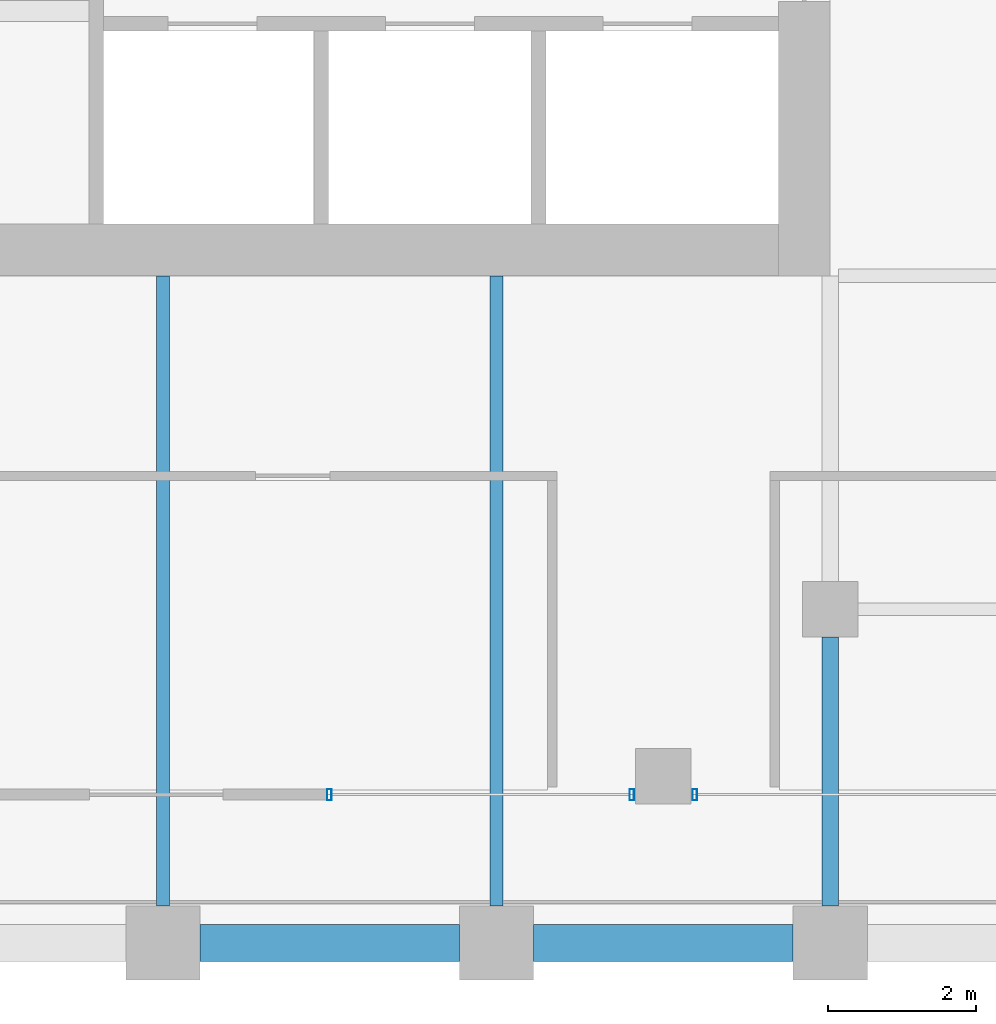
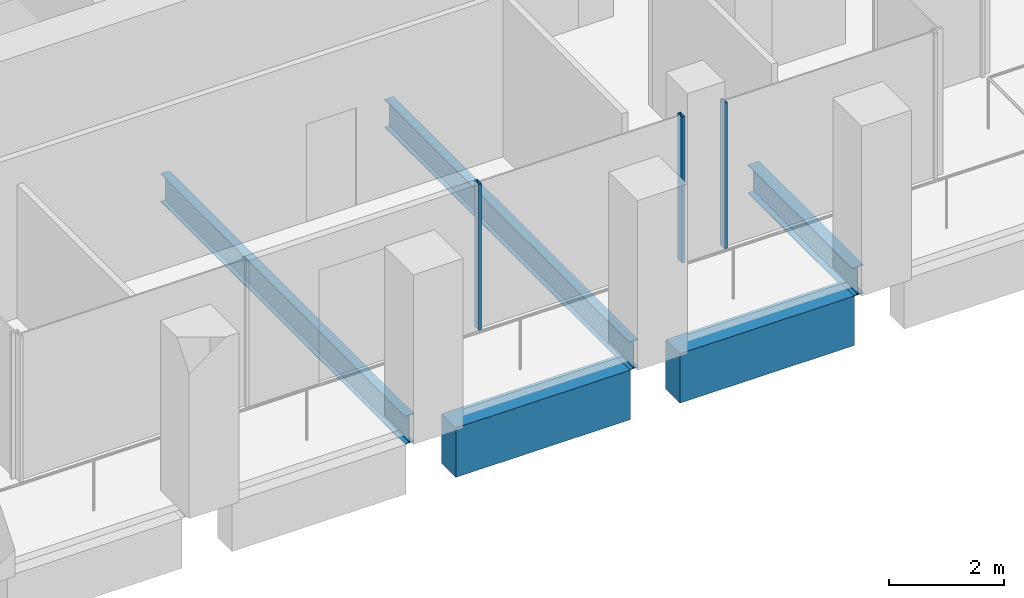
# One storey, part 31 of 46: 5 beams, 3 members, 2 elements without a shape of their own.
"""IFC4 building model written with IfcOpenShell, lengths in metres."""

from ifc_helpers import new_model, si_unit, direction, frame, origin, origin_2d, place, context, subcontext, project, spatial, rectangle, hollow_rectangle, i_section, extrude, material, material_profile, profile_set, type_object, element, aggregate, save


model = new_model("IFC4")

# Units and contexts
model_context = context("Model", 3, precision=1e-05, world=origin(), true_north=direction((0.0, 1.0)))
body_context = subcontext(model_context, "Body", "Model", "MODEL_VIEW")
ifc_project = project(units=[si_unit("LENGTHUNIT", "METRE"), si_unit("AREAUNIT", "SQUARE_METRE"), si_unit("VOLUMEUNIT", "CUBIC_METRE"), si_unit("PLANEANGLEUNIT", "RADIAN"), si_unit("MASSUNIT", "GRAM", prefix="KILO")], contexts=[model_context])

# Site, building, storey
site_placement = place(None, origin())
site = spatial("IfcSite", under=ifc_project, at=site_placement, CompositionType="ELEMENT")
building_placement = place(site_placement, origin())
building = spatial("IfcBuilding", under=site, at=building_placement, Name="Altepetl Exchange Towers", CompositionType="ELEMENT")
storey_placement = place(building_placement, frame((0.0, 0.0, 131.60009765625)))
storey = spatial("IfcBuildingStorey", under=building, at=storey_placement, Name="L32", CompositionType="ELEMENT", Elevation=131.60009765625)

# Beams
ifc_material_1 = material(Name="Steel S355", Category="steel")
ifc_material_profile_1 = material_profile(ifc_material_1, i_section(OverallWidth=0.177978515625, OverallDepth=0.59912109375, WebThickness=0.010009765625, FlangeThickness=0.0126953125, at=origin_2d()), Name="W24X55")
ifc_profile_set_1 = profile_set([ifc_material_profile_1], Name="Steel S355")
beam_type_1 = type_object("IfcBeamType", Name="Floor beam W24X55", PredefinedType="BEAM", material=ifc_profile_set_1)
for number, where, z_axis, x_axis, name in (
    (1, (108.0, 27.5, -0.44970703125), (0.0, 1.0, 0.0), (-1.0, 0.0, 0.0), "bm:B:L32:006"),
    (2, (112.5, 27.5, -0.44970703125), (0.0, 1.0, 0.0), (-1.0, 0.0, 0.0), "bm:B:L32:007"),
):
    element("IfcBeam", number, at=place(storey_placement, frame(where, z_axis=z_axis, x_axis=x_axis)), inside=storey, type_object=beam_type_1, Name=name, PredefinedType="BEAM", context=body_context, shape_type="SweptSolid", body=[
        extrude(i_section(OverallWidth=0.177978515625, OverallDepth=0.59912109375, WebThickness=0.010009765625, FlangeThickness=0.0126953125, at=origin_2d()), origin(), (0.0, 0.0, 1.0), 8.5),
    ])
ifc_material_profile_2 = material_profile(ifc_material_1, i_section(OverallWidth=0.22802734375, OverallDepth=0.60791015625, WebThickness=0.01123046875, FlangeThickness=0.017333984375, at=origin_2d()), Name="W24X76")
ifc_profile_set_2 = profile_set([ifc_material_profile_2], Name="Steel S355")
beam_type_2 = type_object("IfcBeamType", Name="Girder W24X76", PredefinedType="BEAM", material=ifc_profile_set_2)
beam_placement = place(storey_placement, frame((117.0, 31.125, -0.4541015625), z_axis=(0.0, -1.0, 0.0), x_axis=(1.0, 0.0, 0.0)))
element("IfcBeam", 3, at=beam_placement, inside=storey, type_object=beam_type_2, Name="gd:B:L32:001", PredefinedType="BEAM", context=body_context, shape_type="SweptSolid", body=[
    extrude(i_section(OverallWidth=0.22802734375, OverallDepth=0.60791015625, WebThickness=0.01123046875, FlangeThickness=0.017333984375, at=origin_2d()), origin(), (0.0, 0.0, 1.0), 3.625),
])

# Curtain wall, members
ifc_material_2 = material(Name="Aluminium 6063-T6 glazing", Category="aluminium")
curtain_wall_type = type_object("IfcCurtainWallType", Name="Loggia glazing system", PredefinedType="NOTDEFINED", material=ifc_material_2)
curtain_wall_1_placement = place(storey_placement, origin())
curtain_wall_1 = element("IfcCurtainWall", 4, at=curtain_wall_1_placement, inside=storey, type_object=curtain_wall_type, Name="CW1 run", PredefinedType="NOTDEFINED")
ifc_material_3 = material(Name="Aluminium 6063-T6", Category="aluminium")
ifc_material_profile_3 = material_profile(ifc_material_3, hollow_rectangle(XDim=0.06005859375, YDim=0.14990234375, WallThickness=0.0029296875, at=origin_2d()), Name="Mullion 60x150 aluminium")
ifc_profile_set_3 = profile_set([ifc_material_profile_3], Name="Aluminium 6063-T6")
member_type = type_object("IfcMemberType", Name="Mullion 60x150 aluminium", PredefinedType="MULLION", material=ifc_profile_set_3)
member_1_placement = place(storey_placement, frame((110.242431640625, 29.0, 0.0)))
member_1 = element("IfcMember", 5, at=member_1_placement, type_object=member_type, Name="MU1 mullion", PredefinedType="MULLION", context=body_context, shape_type="SweptSolid", body=[
    extrude(hollow_rectangle(XDim=0.06005859375, YDim=0.14990234375, WallThickness=0.0029296875, at=origin_2d()), origin(), (0.0, 0.0, 1.0), 3.099853515625),
])
member_2_placement = place(storey_placement, frame((114.324951171875, 29.0, 0.0)))
member_2 = element("IfcMember", 6, at=member_2_placement, type_object=member_type, Name="MU1 mullion", PredefinedType="MULLION", context=body_context, shape_type="SweptSolid", body=[
    extrude(hollow_rectangle(XDim=0.06005859375, YDim=0.14990234375, WallThickness=0.0029296875, at=origin_2d()), origin(), (0.0, 0.0, 1.0), 3.099853515625),
])
aggregate(curtain_wall_1, [member_1, member_2])

# Curtain wall, member
curtain_wall_2_placement = place(storey_placement, origin())
curtain_wall_2 = element("IfcCurtainWall", 7, at=curtain_wall_2_placement, inside=storey, type_object=curtain_wall_type, Name="CW1 run", PredefinedType="NOTDEFINED")
member_3_placement = place(storey_placement, frame((115.175048828125, 29.0, 0.0)))
member_3 = element("IfcMember", 8, at=member_3_placement, type_object=member_type, Name="MU1 mullion", PredefinedType="MULLION", context=body_context, shape_type="SweptSolid", body=[
    extrude(hollow_rectangle(XDim=0.06005859375, YDim=0.14990234375, WallThickness=0.0029296875, at=origin_2d()), origin(), (0.0, 0.0, 1.0), 3.099853515625),
])
aggregate(curtain_wall_2, [member_3])

# Beams
ifc_material_4 = material(Name="Concrete C50/60 precast with tezontle facing", Category="concrete")
ifc_material_profile_4 = material_profile(ifc_material_4, rectangle(XDim=0.5, YDim=1.050048828125, at=origin_2d()), Name="500 x 1050")
ifc_profile_set_4 = profile_set([ifc_material_profile_4], Name="Concrete C50/60 precast with tezontle facing")
beam_type_3 = type_object("IfcBeamType", Name="Spandrel beam 500x1050 tezontle", PredefinedType="SPANDREL", material=ifc_profile_set_4)
for number, where, z_axis, x_axis, name in (
    (9, (108.5, 27.0, -0.675048828125), (1.0, 0.0, 0.0), (0.0, 1.0, 0.0), "sp:B:L32:002"),
    (10, (113.0, 27.0, -0.675048828125), (1.0, 0.0, 0.0), (0.0, 1.0, 0.0), "sp:B:L32:003"),
):
    element("IfcBeam", number, at=place(storey_placement, frame(where, z_axis=z_axis, x_axis=x_axis)), inside=storey, type_object=beam_type_3, Name=name, PredefinedType="SPANDREL", context=body_context, shape_type="SweptSolid", body=[
        extrude(rectangle(XDim=0.5, YDim=1.050048828125, at=origin_2d()), origin(), (0.0, 0.0, 1.0), 3.5),
    ])

save(model, "model.ifc")
